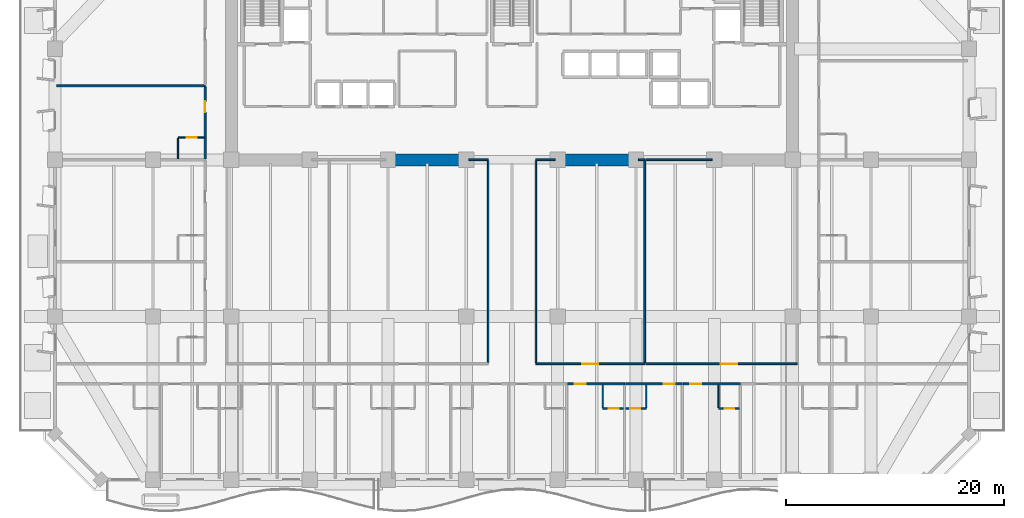
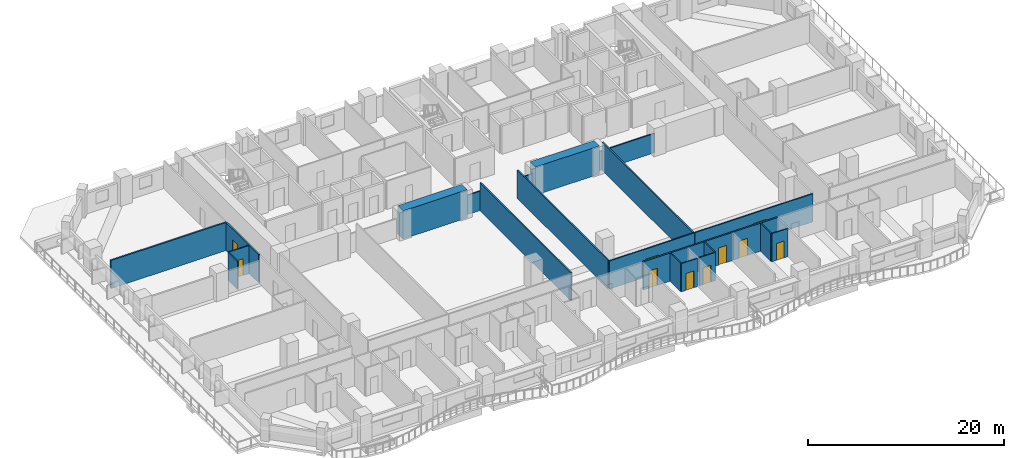
# One storey, part 8 of 17: 24 walls, 10 doors, 10 openings.
"""IFC4 building model written with IfcOpenShell, lengths in metres."""

from ifc_helpers import new_model, si_unit, direction, frame, frame_2d, origin, place, context, subcontext, project, spatial, rectangle, extrude, material, layer, layer_set, type_object, element, fill, save


model = new_model("IFC4")

# Units and contexts
model_context = context("Model", 3, precision=1e-05, world=origin(), true_north=direction((0.0, 1.0)))
body_context = subcontext(model_context, "Body", "Model", "MODEL_VIEW")
ifc_project = project(units=[si_unit("LENGTHUNIT", "METRE"), si_unit("AREAUNIT", "SQUARE_METRE"), si_unit("VOLUMEUNIT", "CUBIC_METRE"), si_unit("PLANEANGLEUNIT", "RADIAN"), si_unit("MASSUNIT", "GRAM", prefix="KILO")], contexts=[model_context])

# Site, building, storey
site_placement = place(None, origin())
site = spatial("IfcSite", under=ifc_project, at=site_placement, CompositionType="ELEMENT")
building_placement = place(site_placement, origin())
building = spatial("IfcBuilding", under=site, at=building_placement, Name="Kaelvorn Grand Hotel", CompositionType="ELEMENT")
storey_placement = place(building_placement, frame((0.0, 0.0, 31.39990234375)))
storey = spatial("IfcBuildingStorey", under=building, at=storey_placement, Name="L05", CompositionType="ELEMENT", Elevation=31.39990234375)

# Walls
ifc_material_1 = material(Name="Concrete C80/95", Category="concrete")
ifc_layer_1 = layer(ifc_material_1, 1.10009765625)
ifc_layer_set_1 = layer_set([ifc_layer_1], Name="Concrete C80/95")
wall_type_1 = type_object("IfcWallType", Name="WL-CORE-1100-C80", PredefinedType="SHEAR", material=ifc_layer_set_1)
for number, where, z_axis, x_axis, name in (
    (1, (30.39990234375, 29.39990234375, 0.0), (0.0, 0.0, 1.0), (1.0, 0.0, 0.0), "L05 Rear-Core Coupled Shear Pier S2"),
    (2, (46.0, 29.39990234375, 0.0), (0.0, 0.0, 1.0), (1.0, 0.0, 0.0), "L05 Rear-Core Coupled Shear Pier S3"),
):
    element("IfcWall", number, at=place(storey_placement, frame(where, z_axis=z_axis, x_axis=x_axis)), inside=storey, type_object=wall_type_1, Name=name, PredefinedType="SHEAR", context=body_context, shape_type="SweptSolid", body=[
        extrude(rectangle(XDim=7.60009765625, YDim=1.10009765625, at=frame_2d((3.800048828125, 0.0))), origin(), (0.0, 0.0, 1.0), 3.510009765625),
    ])

# Wall, opening, door
ifc_material_2 = material(Name="Moisture-Resistant Tile & Stud Board")
ifc_layer_2 = layer(ifc_material_2, 0.125)
ifc_layer_set_2 = layer_set([ifc_layer_2], Name="Moisture-Resistant Tile & Stud Board")
wall_type_2 = type_object("IfcWallType", Name="WL-PART-125-WET", PredefinedType="PARTITIONING", material=ifc_layer_set_2)
wall_1_placement = place(storey_placement, frame((50.34130859375, 6.550048828125, 0.0), z_axis=(0.0, 0.0, 1.0), x_axis=(1.0, 0.0, 0.0)))
wall_1 = element("IfcWall", 3, at=wall_1_placement, inside=storey, type_object=wall_type_2, Name="L05 En-suite Bathroom L05-09 S Partition", PredefinedType="PARTITIONING", context=body_context, shape_type="SweptSolid", body=[
    extrude(rectangle(XDim=1.905029296875, YDim=0.125, at=frame_2d((0.95263671875, 0.0))), origin(), (0.0, 0.0, 1.0), 3.510009765625),
])
opening_1_placement = place(wall_1_placement, frame((0.550048828125, 0.0, 0.0)))
opening_1 = element("IfcOpeningElement", 4, at=opening_1_placement, cuts=wall_1, Name="Opening DI4", PredefinedType="OPENING", context=body_context, shape_type="SweptSolid", body=[
    extrude(rectangle(XDim=0.89990234375, YDim=2.10009765625, at=frame_2d((0.449951171875, 1.050048828125))), frame((0.0, 0.072509765625, 0.0), z_axis=(0.0, -1.0, 0.0), x_axis=(1.0, 0.0, 0.0)), (0.0, 0.0, 1.0), 0.14501953125),
])
ifc_material_3 = material(Name="Timber Veneer Leaf", Category="wood")
door_type_1 = type_object("IfcDoorType", Name="DR-INT-BATH-900x2100", OperationType="NOTDEFINED", PredefinedType="DOOR", material=ifc_material_3)
door_1_placement = place(opening_1_placement, origin())
door_1 = element("IfcDoor", 5, at=door_1_placement, inside=storey, type_object=door_type_1, Name="L05 En-suite Bathroom L05-09 Door", OperationType="SINGLE_SWING_RIGHT", OverallHeight=2.10009765625, OverallWidth=0.89990234375, PredefinedType="DOOR", context=body_context, shape_type="SweptSolid", body=[
    extrude(rectangle(XDim=0.89990234375, YDim=2.10009765625, at=frame_2d((0.449951171875, 1.050048828125))), frame((0.0, 0.02490234375, 0.0), z_axis=(0.0, -1.0, 0.0), x_axis=(1.0, 0.0, 0.0)), (0.0, 0.0, 1.0), 0.050048828125),
])
fill(opening_1, door_1)

# Wall
wall_2_placement = place(storey_placement, frame((50.34130859375, 6.617431640625, 0.0), z_axis=(0.0, 0.0, 1.0), x_axis=(0.0, 1.0, 0.0)))
element("IfcWall", 6, at=wall_2_placement, inside=storey, type_object=wall_type_2, Name="L05 En-suite Bathroom L05-09 W Partition", PredefinedType="PARTITIONING", context=body_context, shape_type="SweptSolid", body=[
    extrude(rectangle(XDim=2.087646484375, YDim=0.125, at=frame_2d((1.0439453125, 0.0))), origin(), (0.0, 0.0, 1.0), 3.510009765625),
])

# Wall, opening, door
wall_3_placement = place(storey_placement, frame((52.436279296875, 6.550048828125, 0.0), z_axis=(0.0, 0.0, 1.0), x_axis=(1.0, 0.0, 0.0)))
wall_3 = element("IfcWall", 7, at=wall_3_placement, inside=storey, type_object=wall_type_2, Name="L05 En-suite Bathroom L05-10 S Partition", PredefinedType="PARTITIONING", context=body_context, shape_type="SweptSolid", body=[
    extrude(rectangle(XDim=1.905029296875, YDim=0.125, at=frame_2d((0.95263671875, 0.0))), origin(), (0.0, 0.0, 1.0), 3.510009765625),
])
opening_2_placement = place(wall_3_placement, frame((0.455078125, 0.0, 0.0)))
opening_2 = element("IfcOpeningElement", 8, at=opening_2_placement, cuts=wall_3, Name="Opening DI4", PredefinedType="OPENING", context=body_context, shape_type="SweptSolid", body=[
    extrude(rectangle(XDim=0.89990234375, YDim=2.10009765625, at=frame_2d((0.449951171875, 1.050048828125))), frame((0.0, 0.072509765625, 0.0), z_axis=(0.0, -1.0, 0.0), x_axis=(1.0, 0.0, 0.0)), (0.0, 0.0, 1.0), 0.14501953125),
])
door_2_placement = place(opening_2_placement, origin())
door_2 = element("IfcDoor", 9, at=door_2_placement, inside=storey, type_object=door_type_1, Name="L05 En-suite Bathroom L05-10 Door", OperationType="SINGLE_SWING_RIGHT", OverallHeight=2.10009765625, OverallWidth=0.89990234375, PredefinedType="DOOR", context=body_context, shape_type="SweptSolid", body=[
    extrude(rectangle(XDim=0.89990234375, YDim=2.10009765625, at=frame_2d((0.449951171875, 1.050048828125))), frame((0.0, 0.02490234375, 0.0), z_axis=(0.0, -1.0, 0.0), x_axis=(1.0, 0.0, 0.0)), (0.0, 0.0, 1.0), 0.050048828125),
])
fill(opening_2, door_2)

# Wall
wall_4_placement = place(storey_placement, frame((54.34130859375, 6.617431640625, 0.0), z_axis=(0.0, 0.0, 1.0), x_axis=(0.0, 1.0, 0.0)))
element("IfcWall", 10, at=wall_4_placement, inside=storey, type_object=wall_type_2, Name="L05 En-suite Bathroom L05-10 E Partition", PredefinedType="PARTITIONING", context=body_context, shape_type="SweptSolid", body=[
    extrude(rectangle(XDim=2.087646484375, YDim=0.125, at=frame_2d((1.0439453125, 0.0))), origin(), (0.0, 0.0, 1.0), 3.510009765625),
])

# Wall, opening, door
wall_5_placement = place(storey_placement, frame((60.98388671875, 6.550048828125, 0.0), z_axis=(0.0, 0.0, 1.0), x_axis=(1.0, 0.0, 0.0)))
wall_5 = element("IfcWall", 11, at=wall_5_placement, inside=storey, type_object=wall_type_2, Name="L05 En-suite Bathroom L05-11 S Partition", PredefinedType="PARTITIONING", context=body_context, shape_type="SweptSolid", body=[
    extrude(rectangle(XDim=1.905029296875, YDim=0.125, at=frame_2d((0.95263671875, 0.0))), origin(), (0.0, 0.0, 1.0), 3.510009765625),
])
opening_3_placement = place(wall_5_placement, frame((0.550048828125, 0.0, 0.0)))
opening_3 = element("IfcOpeningElement", 12, at=opening_3_placement, cuts=wall_5, Name="Opening DI4", PredefinedType="OPENING", context=body_context, shape_type="SweptSolid", body=[
    extrude(rectangle(XDim=0.89990234375, YDim=2.10009765625, at=frame_2d((0.449951171875, 1.050048828125))), frame((0.0, 0.072509765625, 0.0), z_axis=(0.0, -1.0, 0.0), x_axis=(1.0, 0.0, 0.0)), (0.0, 0.0, 1.0), 0.14501953125),
])
door_3_placement = place(opening_3_placement, origin())
door_3 = element("IfcDoor", 13, at=door_3_placement, inside=storey, type_object=door_type_1, Name="L05 En-suite Bathroom L05-11 Door", OperationType="SINGLE_SWING_RIGHT", OverallHeight=2.10009765625, OverallWidth=0.89990234375, PredefinedType="DOOR", context=body_context, shape_type="SweptSolid", body=[
    extrude(rectangle(XDim=0.89990234375, YDim=2.10009765625, at=frame_2d((0.449951171875, 1.050048828125))), frame((0.0, 0.02490234375, 0.0), z_axis=(0.0, -1.0, 0.0), x_axis=(1.0, 0.0, 0.0)), (0.0, 0.0, 1.0), 0.050048828125),
])
fill(opening_3, door_3)

# Wall
wall_6_placement = place(storey_placement, frame((60.98388671875, 6.617431640625, 0.0), z_axis=(0.0, 0.0, 1.0), x_axis=(0.0, 1.0, 0.0)))
element("IfcWall", 14, at=wall_6_placement, inside=storey, type_object=wall_type_2, Name="L05 En-suite Bathroom L05-11 W Partition", PredefinedType="PARTITIONING", context=body_context, shape_type="SweptSolid", body=[
    extrude(rectangle(XDim=2.087646484375, YDim=0.125, at=frame_2d((1.0439453125, 0.0))), origin(), (0.0, 0.0, 1.0), 3.510009765625),
])

# Wall, opening, door
wall_7_placement = place(storey_placement, frame((11.300048828125, 31.449951171875, 0.0), z_axis=(0.0, 0.0, 1.0), x_axis=(1.0, 0.0, 0.0)))
wall_7 = element("IfcWall", 15, at=wall_7_placement, inside=storey, type_object=wall_type_2, Name="L05 En-suite Bathroom L05-18 N Partition", PredefinedType="PARTITIONING", context=body_context, shape_type="SweptSolid", body=[
    extrude(rectangle(XDim=2.405029296875, YDim=0.125, at=frame_2d((1.20263671875, 0.0))), origin(), (0.0, 0.0, 1.0), 3.510009765625),
])
opening_4_placement = place(wall_7_placement, frame((0.800048828125, 0.0, 0.0)))
opening_4 = element("IfcOpeningElement", 16, at=opening_4_placement, cuts=wall_7, Name="Opening DI4", PredefinedType="OPENING", context=body_context, shape_type="SweptSolid", body=[
    extrude(rectangle(XDim=0.89990234375, YDim=2.10009765625, at=frame_2d((0.449951171875, 1.050048828125))), frame((0.0, 0.072509765625, 0.0), z_axis=(0.0, -1.0, 0.0), x_axis=(1.0, 0.0, 0.0)), (0.0, 0.0, 1.0), 0.14501953125),
])
door_4_placement = place(opening_4_placement, origin())
door_4 = element("IfcDoor", 17, at=door_4_placement, inside=storey, type_object=door_type_1, Name="L05 En-suite Bathroom L05-18 Door", OperationType="SINGLE_SWING_LEFT", OverallHeight=2.10009765625, OverallWidth=0.89990234375, PredefinedType="DOOR", context=body_context, shape_type="SweptSolid", body=[
    extrude(rectangle(XDim=0.89990234375, YDim=2.10009765625, at=frame_2d((0.449951171875, 1.050048828125))), frame((0.0, 0.02490234375, 0.0), z_axis=(0.0, -1.0, 0.0), x_axis=(1.0, 0.0, 0.0)), (0.0, 0.0, 1.0), 0.050048828125),
])
fill(opening_4, door_4)

# Walls
wall_8_placement = place(storey_placement, frame((11.300048828125, 29.4951171875, 0.0), z_axis=(0.0, 0.0, 1.0), x_axis=(0.0, 1.0, 0.0)))
element("IfcWall", 18, at=wall_8_placement, inside=storey, type_object=wall_type_2, Name="L05 En-suite Bathroom L05-18 W Partition", PredefinedType="PARTITIONING", context=body_context, shape_type="SweptSolid", body=[
    extrude(rectangle(XDim=1.887451171875, YDim=0.125, at=frame_2d((0.94384765625, 0.0))), origin(), (0.0, 0.0, 1.0), 3.510009765625),
])
ifc_material_4 = material(Name="Acoustic Gypsum & Stud Partition")
ifc_layer_3 = layer(ifc_material_4, 0.14990234375)
ifc_layer_set_3 = layer_set([ifc_layer_3], Name="Acoustic Gypsum & Stud Partition")
wall_type_3 = type_object("IfcWallType", Name="WL-PART-150-EI60", PredefinedType="PARTITIONING", material=ifc_layer_set_3)
wall_9_placement = place(storey_placement, frame((38.010009765625, 29.39990234375, 0.0), z_axis=(0.0, 0.0, 1.0), x_axis=(1.0, 0.0, 0.0)))
element("IfcWall", 19, at=wall_9_placement, inside=storey, type_object=wall_type_3, Name="L05 Guest Butler Kitchen N Partition (2)", PredefinedType="PARTITIONING", context=body_context, shape_type="SweptSolid", body=[
    extrude(rectangle(XDim=1.7900390625, YDim=0.14990234375, at=frame_2d((0.89501953125, 0.0))), origin(), (0.0, 0.0, 1.0), 2.41015625),
])
wall_10_placement = place(storey_placement, frame((39.800048828125, 10.72998046875, 0.0), z_axis=(0.0, 0.0, 1.0), x_axis=(0.0, 1.0, 0.0)))
element("IfcWall", 20, at=wall_10_placement, inside=storey, type_object=wall_type_3, Name="L05 Guest Butler Kitchen E Partition", PredefinedType="PARTITIONING", context=body_context, shape_type="SweptSolid", body=[
    extrude(rectangle(XDim=18.590087890625, YDim=0.14990234375, at=frame_2d((9.294921875, 0.0))), origin(), (0.0, 0.0, 1.0), 3.510009765625),
])

# Wall, opening, door
wall_11_placement = place(storey_placement, frame((44.199951171875, 10.64990234375, 0.0), z_axis=(0.0, 0.0, 1.0), x_axis=(1.0, 0.0, 0.0)))
wall_11 = element("IfcWall", 21, at=wall_11_placement, inside=storey, type_object=wall_type_3, Name="L05 Suite Living Room S Partition", PredefinedType="PARTITIONING", context=body_context, shape_type="SweptSolid", body=[
    extrude(rectangle(XDim=10.0, YDim=0.14990234375, at=frame_2d((5.0, 0.0))), origin(), (0.0, 0.0, 1.0), 3.510009765625),
])
opening_5_placement = place(wall_11_placement, frame((4.25, 0.0, 0.0)))
opening_5 = element("IfcOpeningElement", 22, at=opening_5_placement, cuts=wall_11, Name="Opening DI5", PredefinedType="OPENING", context=body_context, shape_type="SweptSolid", body=[
    extrude(rectangle(XDim=1.5, YDim=2.25, at=frame_2d((0.75, 1.125))), frame((0.0, 0.0849609375, 0.0), z_axis=(0.0, -1.0, 0.0), x_axis=(1.0, 0.0, 0.0)), (0.0, 0.0, 1.0), 0.169921875),
])
ifc_material_5 = material(Name="Timber Veneer Fire Leaf", Category="wood")
door_type_2 = type_object("IfcDoorType", Name="DR-INT-SALON-1500x2250", OperationType="DOUBLE_DOOR_SINGLE_SWING", PredefinedType="DOOR", material=ifc_material_5)
door_5_placement = place(opening_5_placement, origin())
door_5 = element("IfcDoor", 23, at=door_5_placement, inside=storey, type_object=door_type_2, Name="L05 Suite Living Room Door", OperationType="DOUBLE_DOOR_SINGLE_SWING", OverallHeight=2.25, OverallWidth=1.5, PredefinedType="DOOR", context=body_context, shape_type="SweptSolid", body=[
    extrude(rectangle(XDim=1.5, YDim=2.25, at=frame_2d((0.75, 1.125))), frame((0.0, 0.02490234375, 0.0), z_axis=(0.0, -1.0, 0.0), x_axis=(1.0, 0.0, 0.0)), (0.0, 0.0, 1.0), 0.050048828125),
])
fill(opening_5, door_5)

# Walls
wall_12_placement = place(storey_placement, frame((44.199951171875, 29.39990234375, 0.0), z_axis=(0.0, 0.0, 1.0), x_axis=(1.0, 0.0, 0.0)))
element("IfcWall", 24, at=wall_12_placement, inside=storey, type_object=wall_type_3, Name="L05 Suite Living Room N Partition (1)", PredefinedType="PARTITIONING", context=body_context, shape_type="SweptSolid", body=[
    extrude(rectangle(XDim=1.7900390625, YDim=0.14990234375, at=frame_2d((0.89501953125, 0.0))), origin(), (0.0, 0.0, 1.0), 2.41015625),
])
wall_13_placement = place(storey_placement, frame((53.610107421875, 29.39990234375, 0.0), z_axis=(0.0, 0.0, 1.0), x_axis=(1.0, 0.0, 0.0)))
element("IfcWall", 25, at=wall_13_placement, inside=storey, type_object=wall_type_3, Name="L05 Suite Living Room N Partition (2)", PredefinedType="PARTITIONING", context=body_context, shape_type="SweptSolid", body=[
    extrude(rectangle(XDim=0.58984375, YDim=0.14990234375, at=frame_2d((0.294921875, 0.0))), origin(), (0.0, 0.0, 1.0), 2.41015625),
])
for number, where, z_axis, x_axis, name in (
    (26, (44.199951171875, 10.72998046875, 0.0), (0.0, 0.0, 1.0), (0.0, 1.0, 0.0), "L05 Suite Living Room W Partition"),
    (27, (54.199951171875, 10.72998046875, 0.0), (0.0, 0.0, 1.0), (0.0, 1.0, 0.0), "L05 Suite Living Room E Partition"),
):
    element("IfcWall", number, at=place(storey_placement, frame(where, z_axis=z_axis, x_axis=x_axis)), inside=storey, type_object=wall_type_3, Name=name, PredefinedType="PARTITIONING", context=body_context, shape_type="SweptSolid", body=[
        extrude(rectangle(XDim=18.590087890625, YDim=0.14990234375, at=frame_2d((9.294921875, 0.0))), origin(), (0.0, 0.0, 1.0), 3.510009765625),
    ])

# Wall, opening, door
wall_14_placement = place(storey_placement, frame((54.280029296875, 10.64990234375, 0.0), z_axis=(0.0, 0.0, 1.0), x_axis=(1.0, 0.0, 0.0)))
wall_14 = element("IfcWall", 28, at=wall_14_placement, inside=storey, type_object=wall_type_3, Name="L05 Business Secretariat Office S Partition", PredefinedType="PARTITIONING", context=body_context, shape_type="SweptSolid", body=[
    extrude(rectangle(XDim=13.919921875, YDim=0.14990234375, at=frame_2d((6.9599609375, 0.0))), origin(), (0.0, 0.0, 1.0), 3.510009765625),
])
opening_6_placement = place(wall_14_placement, frame((6.919921875, 0.0, 0.0)))
opening_6 = element("IfcOpeningElement", 29, at=opening_6_placement, cuts=wall_14, Name="Opening DI5", PredefinedType="OPENING", context=body_context, shape_type="SweptSolid", body=[
    extrude(rectangle(XDim=1.5, YDim=2.25, at=frame_2d((0.75, 1.125))), frame((0.0, 0.0849609375, 0.0), z_axis=(0.0, -1.0, 0.0), x_axis=(1.0, 0.0, 0.0)), (0.0, 0.0, 1.0), 0.169921875),
])
door_6_placement = place(opening_6_placement, origin())
door_6 = element("IfcDoor", 30, at=door_6_placement, inside=storey, type_object=door_type_2, Name="L05 Business Secretariat Office Door", OperationType="DOUBLE_DOOR_SINGLE_SWING", OverallHeight=2.25, OverallWidth=1.5, PredefinedType="DOOR", context=body_context, shape_type="SweptSolid", body=[
    extrude(rectangle(XDim=1.5, YDim=2.25, at=frame_2d((0.75, 1.125))), frame((0.0, 0.02490234375, 0.0), z_axis=(0.0, -1.0, 0.0), x_axis=(1.0, 0.0, 0.0)), (0.0, 0.0, 1.0), 0.050048828125),
])
fill(opening_6, door_6)

# Wall
wall_15_placement = place(storey_placement, frame((54.280029296875, 29.39990234375, 0.0), z_axis=(0.0, 0.0, 1.0), x_axis=(1.0, 0.0, 0.0)))
element("IfcWall", 31, at=wall_15_placement, inside=storey, type_object=wall_type_3, Name="L05 Business Secretariat Office N Partition", PredefinedType="PARTITIONING", context=body_context, shape_type="SweptSolid", body=[
    extrude(rectangle(XDim=6.10986328125, YDim=0.14990234375, at=frame_2d((3.054931640625, 0.0))), origin(), (0.0, 0.0, 1.0), 2.41015625),
])

# Wall, opening, door
ifc_layer_4 = layer(ifc_material_4, 0.179931640625)
ifc_layer_set_4 = layer_set([ifc_layer_4], Name="Acoustic Gypsum & Stud Partition")
wall_type_4 = type_object("IfcWallType", Name="WL-PART-180-EI60", PredefinedType="PARTITIONING", material=ifc_layer_set_4)
wall_16_placement = place(storey_placement, frame((47.114990234375, 8.800048828125, 0.0), z_axis=(0.0, 0.0, 1.0), x_axis=(1.0, 0.0, 0.0)))
wall_16 = element("IfcWall", 32, at=wall_16_placement, inside=storey, type_object=wall_type_4, Name="L05 Deluxe King Guest Room L05-09 N Partition", PredefinedType="PARTITIONING", context=body_context, shape_type="SweptSolid", body=[
    extrude(rectangle(XDim=5.226318359375, YDim=0.179931640625, at=frame_2d((2.61328125, 0.0))), origin(), (0.0, 0.0, 1.0), 3.510009765625),
])
opening_7_placement = place(wall_16_placement, frame((0.64990234375, 0.0, 0.0)))
opening_7 = element("IfcOpeningElement", 33, at=opening_7_placement, cuts=wall_16, Name="Opening DI3", PredefinedType="OPENING", context=body_context, shape_type="SweptSolid", body=[
    extrude(rectangle(XDim=1.0, YDim=2.14990234375, at=frame_2d((0.5, 1.074951171875))), frame((0.0, 0.10009765625, 0.0), z_axis=(0.0, -1.0, 0.0), x_axis=(1.0, 0.0, 0.0)), (0.0, 0.0, 1.0), 0.199951171875),
])
door_type_3 = type_object("IfcDoorType", Name="DR-INT-GUEST-1000x2150", OperationType="NOTDEFINED", PredefinedType="DOOR", material=ifc_material_5)
door_7_placement = place(opening_7_placement, origin())
door_7 = element("IfcDoor", 34, at=door_7_placement, inside=storey, type_object=door_type_3, Name="L05 Deluxe King Guest Room L05-09 Door", OperationType="SINGLE_SWING_LEFT", OverallHeight=2.14990234375, OverallWidth=1.0, PredefinedType="DOOR", context=body_context, shape_type="SweptSolid", body=[
    extrude(rectangle(XDim=1.0, YDim=2.14990234375, at=frame_2d((0.5, 1.074951171875))), frame((0.0, 0.02490234375, 0.0), z_axis=(0.0, -1.0, 0.0), x_axis=(1.0, 0.0, 0.0)), (0.0, 0.0, 1.0), 0.050048828125),
])
fill(opening_7, door_7)

wall_17_placement = place(storey_placement, frame((52.436279296875, 8.800048828125, 0.0), z_axis=(0.0, 0.0, 1.0), x_axis=(1.0, 0.0, 0.0)))
wall_17 = element("IfcWall", 35, at=wall_17_placement, inside=storey, type_object=wall_type_4, Name="L05 Deluxe King Guest Room L05-10 N Partition", PredefinedType="PARTITIONING", context=body_context, shape_type="SweptSolid", body=[
    extrude(rectangle(XDim=5.226318359375, YDim=0.179931640625, at=frame_2d((2.61328125, 0.0))), origin(), (0.0, 0.0, 1.0), 3.510009765625),
])
opening_8_placement = place(wall_17_placement, frame((3.515625, 0.0, 0.0)))
opening_8 = element("IfcOpeningElement", 36, at=opening_8_placement, cuts=wall_17, Name="Opening DI3", PredefinedType="OPENING", context=body_context, shape_type="SweptSolid", body=[
    extrude(rectangle(XDim=1.0, YDim=2.14990234375, at=frame_2d((0.5, 1.074951171875))), frame((0.0, 0.10009765625, 0.0), z_axis=(0.0, -1.0, 0.0), x_axis=(1.0, 0.0, 0.0)), (0.0, 0.0, 1.0), 0.199951171875),
])
door_8_placement = place(opening_8_placement, origin())
door_8 = element("IfcDoor", 37, at=door_8_placement, inside=storey, type_object=door_type_3, Name="L05 Deluxe King Guest Room L05-10 Door", OperationType="SINGLE_SWING_LEFT", OverallHeight=2.14990234375, OverallWidth=1.0, PredefinedType="DOOR", context=body_context, shape_type="SweptSolid", body=[
    extrude(rectangle(XDim=1.0, YDim=2.14990234375, at=frame_2d((0.5, 1.074951171875))), frame((0.0, 0.02490234375, 0.0), z_axis=(0.0, -1.0, 0.0), x_axis=(1.0, 0.0, 0.0)), (0.0, 0.0, 1.0), 0.050048828125),
])
fill(opening_8, door_8)

wall_18_placement = place(storey_placement, frame((57.757568359375, 8.800048828125, 0.0), z_axis=(0.0, 0.0, 1.0), x_axis=(1.0, 0.0, 0.0)))
wall_18 = element("IfcWall", 38, at=wall_18_placement, inside=storey, type_object=wall_type_4, Name="L05 Deluxe King Guest Room L05-11 N Partition", PredefinedType="PARTITIONING", context=body_context, shape_type="SweptSolid", body=[
    extrude(rectangle(XDim=5.226318359375, YDim=0.179931640625, at=frame_2d((2.61328125, 0.0))), origin(), (0.0, 0.0, 1.0), 3.510009765625),
])
opening_9_placement = place(wall_18_placement, frame((0.64990234375, 0.0, 0.0)))
opening_9 = element("IfcOpeningElement", 39, at=opening_9_placement, cuts=wall_18, Name="Opening DI3", PredefinedType="OPENING", context=body_context, shape_type="SweptSolid", body=[
    extrude(rectangle(XDim=1.0, YDim=2.14990234375, at=frame_2d((0.5, 1.074951171875))), frame((0.0, 0.10009765625, 0.0), z_axis=(0.0, -1.0, 0.0), x_axis=(1.0, 0.0, 0.0)), (0.0, 0.0, 1.0), 0.199951171875),
])
door_9_placement = place(opening_9_placement, origin())
door_9 = element("IfcDoor", 40, at=door_9_placement, inside=storey, type_object=door_type_3, Name="L05 Deluxe King Guest Room L05-11 Door", OperationType="SINGLE_SWING_LEFT", OverallHeight=2.14990234375, OverallWidth=1.0, PredefinedType="DOOR", context=body_context, shape_type="SweptSolid", body=[
    extrude(rectangle(XDim=1.0, YDim=2.14990234375, at=frame_2d((0.5, 1.074951171875))), frame((0.0, 0.02490234375, 0.0), z_axis=(0.0, -1.0, 0.0), x_axis=(1.0, 0.0, 0.0)), (0.0, 0.0, 1.0), 0.050048828125),
])
fill(opening_9, door_9)

# Wall
wall_19_placement = place(storey_placement, frame((0.14990234375, 36.199951171875, 0.0), z_axis=(0.0, 0.0, 1.0), x_axis=(1.0, 0.0, 0.0)))
element("IfcWall", 41, at=wall_19_placement, inside=storey, type_object=wall_type_4, Name="L05 North-West Wing Suite L05-18 N Partition", PredefinedType="PARTITIONING", context=body_context, shape_type="SweptSolid", body=[
    extrude(rectangle(XDim=13.650146484375, YDim=0.179931640625, at=frame_2d((6.8251953125, 0.0))), origin(), (0.0, 0.0, 1.0), 3.510009765625),
])

# Wall, opening, door
wall_20_placement = place(storey_placement, frame((13.800048828125, 29.4951171875, 0.0), z_axis=(0.0, 0.0, 1.0), x_axis=(0.0, 1.0, 0.0)))
wall_20 = element("IfcWall", 42, at=wall_20_placement, inside=storey, type_object=wall_type_4, Name="L05 North-West Wing Suite L05-18 E Partition", PredefinedType="PARTITIONING", context=body_context, shape_type="SweptSolid", body=[
    extrude(rectangle(XDim=6.60986328125, YDim=0.179931640625, at=frame_2d((3.304931640625, 0.0))), origin(), (0.0, 0.0, 1.0), 3.510009765625),
])
opening_10_placement = place(wall_20_placement, frame((4.280029296875, 0.0, 0.0)))
opening_10 = element("IfcOpeningElement", 43, at=opening_10_placement, cuts=wall_20, Name="Opening DI3", PredefinedType="OPENING", context=body_context, shape_type="SweptSolid", body=[
    extrude(rectangle(XDim=1.0, YDim=2.14990234375, at=frame_2d((0.5, 1.074951171875))), frame((0.0, 0.10009765625, 0.0), z_axis=(0.0, -1.0, 0.0), x_axis=(1.0, 0.0, 0.0)), (0.0, 0.0, 1.0), 0.199951171875),
])
door_10_placement = place(opening_10_placement, origin())
door_10 = element("IfcDoor", 44, at=door_10_placement, inside=storey, type_object=door_type_3, Name="L05 North-West Wing Suite L05-18 Door", OperationType="SINGLE_SWING_RIGHT", OverallHeight=2.14990234375, OverallWidth=1.0, PredefinedType="DOOR", context=body_context, shape_type="SweptSolid", body=[
    extrude(rectangle(XDim=1.0, YDim=2.14990234375, at=frame_2d((0.5, 1.074951171875))), frame((0.0, 0.02490234375, 0.0), z_axis=(0.0, -1.0, 0.0), x_axis=(1.0, 0.0, 0.0)), (0.0, 0.0, 1.0), 0.050048828125),
])
fill(opening_10, door_10)

save(model, "model.ifc")
